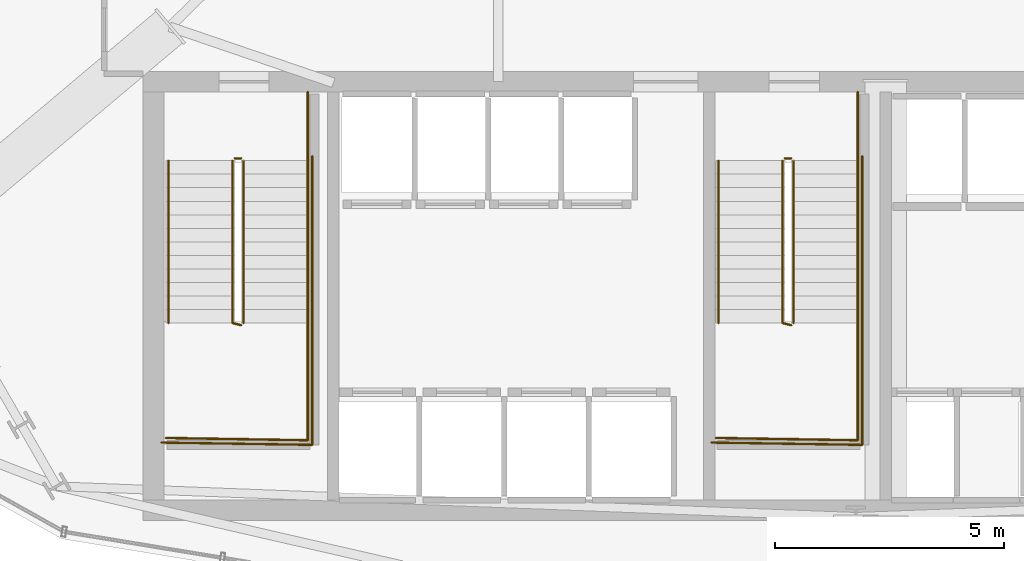
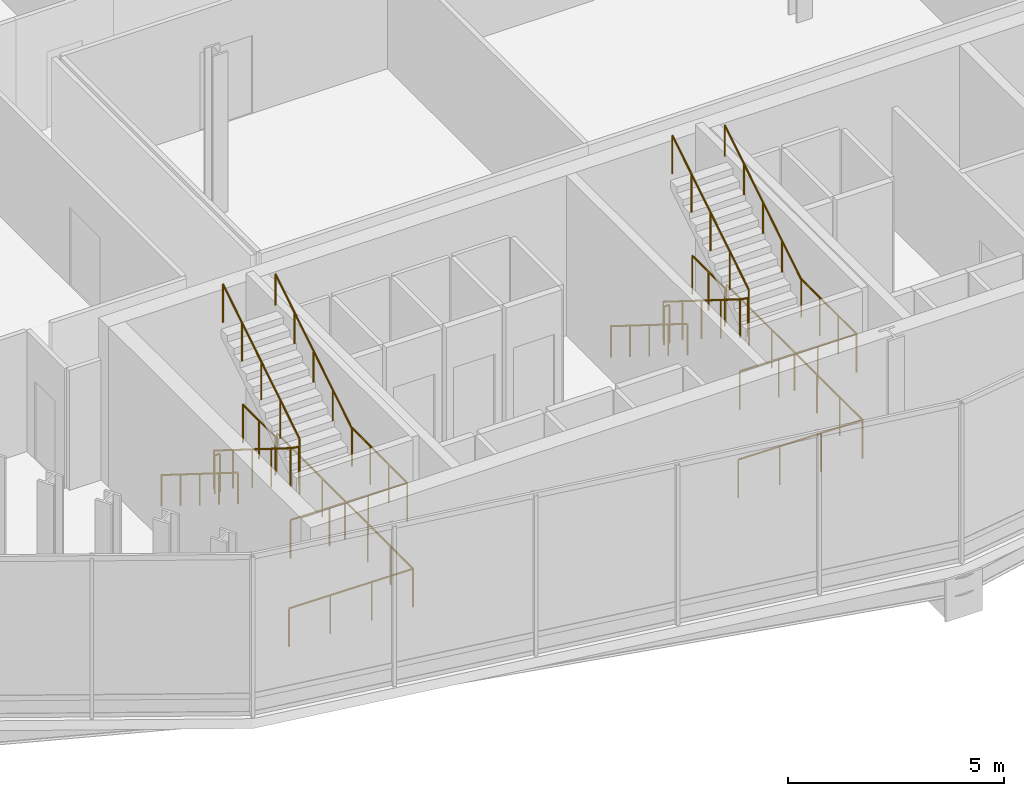
# One storey, part 24 of 26: 16 railings.
"""IFC4 building model written with IfcOpenShell, lengths in metres."""

from ifc_helpers import new_model, si_unit, direction, frame, origin, origin_2d, place, context, subcontext, project, spatial, circle, extrude, material, layer, layer_set, type_object, element, save


model = new_model("IFC4")

# Units and contexts
model_context = context("Model", 3, precision=1e-05, world=origin(), true_north=direction((0.0, 1.0)))
body_context = subcontext(model_context, "Body", "Model", "MODEL_VIEW")
ifc_project = project(units=[si_unit("LENGTHUNIT", "METRE"), si_unit("AREAUNIT", "SQUARE_METRE"), si_unit("VOLUMEUNIT", "CUBIC_METRE"), si_unit("PLANEANGLEUNIT", "RADIAN"), si_unit("MASSUNIT", "GRAM", prefix="KILO")], contexts=[model_context])

# Site, building, storey
site_placement = place(None, origin())
site = spatial("IfcSite", under=ifc_project, at=site_placement, CompositionType="ELEMENT")
building_placement = place(site_placement, origin())
building = spatial("IfcBuilding", under=site, at=building_placement, Name="Ndaravel Arena Tower", CompositionType="ELEMENT")
storey_placement = place(building_placement, frame((0.0, 0.0, 117.39990234375)))
storey = spatial("IfcBuildingStorey", under=building, at=storey_placement, Name="L27", CompositionType="ELEMENT", Elevation=117.39990234375)

# Railings
ifc_material_1 = material(Name="Steel S355", Category="steel")
ifc_layer_1 = layer(ifc_material_1, 0.06005859375)
ifc_layer_set_1 = layer_set([ifc_layer_1], Name="Steel S355")
railing_type_1 = type_object("IfcRailingType", Name="RAIL-STAIR-GD1100", PredefinedType="GUARDRAIL", material=ifc_layer_set_1)
railing_1_placement = place(storey_placement, frame((28.39990234375, 13.25, 0.184814453125)))
element("IfcRailing", 1, at=railing_1_placement, inside=storey, type_object=railing_type_1, Name="L27 ST-1 stair guard 1", PredefinedType="GUARDRAIL", context=body_context, shape_type="SweptSolid", body=[
    extrude(circle(Radius=0.02392578125, at=origin_2d()), frame((0.0, 0.0, 1.076171875), z_axis=(0.0, -0.847696004112, 0.530482313194), x_axis=(1.0, 0.0, 0.0)), (0.0, 0.0, 1.0), 4.176025390625),
    extrude(circle(Radius=0.02392578125, at=origin_2d()), frame((0.0, -3.5400390625, 3.29150390625), z_axis=(0.967074537263, -0.25449329928, 0.0), x_axis=(0.25449329928, 0.967074537263, 0.0)), (0.0, 0.0, 1.0), 0.19677734375),
    extrude(circle(Radius=0.02099609375, at=origin_2d()), origin(), (0.0, 0.0, 1.0), 1.052001953125),
    extrude(circle(Radius=0.02099609375, at=origin_2d()), frame((0.0, -0.885009765625, 0.5537109375)), (0.0, 0.0, 1.0), 1.052001953125),
    extrude(circle(Radius=0.02099609375, at=origin_2d()), frame((0.0, -1.77001953125, 1.107666015625)), (0.0, 0.0, 1.0), 1.052001953125),
    extrude(circle(Radius=0.02099609375, at=origin_2d()), frame((0.0, -2.655029296875, 1.66162109375)), (0.0, 0.0, 1.0), 1.052001953125),
    extrude(circle(Radius=0.02099609375, at=origin_2d()), frame((0.0, -3.5400390625, 2.21533203125)), (0.0, 0.0, 1.0), 1.052001953125),
    extrude(circle(Radius=0.02099609375, at=origin_2d()), frame((0.190185546875, -3.590087890625, 2.21533203125)), (0.0, 0.0, 1.0), 1.052001953125),
])
railing_2_placement = place(storey_placement, frame((30.0400390625, 9.7099609375, 2.400146484375)))
element("IfcRailing", 2, at=railing_2_placement, inside=storey, type_object=railing_type_1, Name="L27 ST-1 stair guard 2", PredefinedType="GUARDRAIL", context=body_context, shape_type="SweptSolid", body=[
    extrude(circle(Radius=0.02392578125, at=origin_2d()), frame((0.0, 0.0, 1.076171875), z_axis=(0.0, -1.0, 0.0), x_axis=(1.0, 0.0, 0.0)), (0.0, 0.0, 1.0), 2.56005859375),
    extrude(circle(Radius=0.02392578125, at=origin_2d()), frame((0.0, -2.56005859375, 1.076171875), z_axis=(-0.999868861343, 0.016194447071, 0.0), x_axis=(-0.016194447071, -0.999868861343, 0.0)), (0.0, 0.0, 1.0), 3.090576171875),
    extrude(circle(Radius=0.02099609375, at=origin_2d()), origin(), (0.0, 0.0, 1.0), 1.052001953125),
    extrude(circle(Radius=0.02099609375, at=origin_2d()), frame((0.0, -0.853271484375, 0.0)), (0.0, 0.0, 1.0), 1.052001953125),
    extrude(circle(Radius=0.02099609375, at=origin_2d()), frame((0.0, -1.706787109375, 0.0)), (0.0, 0.0, 1.0), 1.052001953125),
    extrude(circle(Radius=0.02099609375, at=origin_2d()), frame((0.0, -2.56005859375, 0.0)), (0.0, 0.0, 1.0), 1.052001953125),
    extrude(circle(Radius=0.02099609375, at=origin_2d()), frame((-1.030029296875, -2.54345703125, 0.0)), (0.0, 0.0, 1.0), 1.052001953125),
    extrude(circle(Radius=0.02099609375, at=origin_2d()), frame((-2.06005859375, -2.526611328125, 0.0)), (0.0, 0.0, 1.0), 1.052001953125),
    extrude(circle(Radius=0.02099609375, at=origin_2d()), frame((-3.090087890625, -2.510009765625, 0.0)), (0.0, 0.0, 1.0), 1.052001953125),
])
railing_3_placement = place(storey_placement, frame((28.639892578125, 9.7099609375, 2.584716796875)))
element("IfcRailing", 3, at=railing_3_placement, inside=storey, type_object=railing_type_1, Name="L27 ST-1 stair guard 3", PredefinedType="GUARDRAIL", context=body_context, shape_type="SweptSolid", body=[
    extrude(circle(Radius=0.02392578125, at=origin_2d()), frame((0.0, 0.0, 1.076171875), z_axis=(0.0, 0.847696004112, 0.530482313194), x_axis=(-1.0, 0.0, 0.0)), (0.0, 0.0, 1.0), 4.176025390625),
    extrude(circle(Radius=0.02099609375, at=origin_2d()), origin(), (0.0, 0.0, 1.0), 1.052001953125),
    extrude(circle(Radius=0.02099609375, at=origin_2d()), frame((0.0, 0.885009765625, 0.5537109375)), (0.0, 0.0, 1.0), 1.052001953125),
    extrude(circle(Radius=0.02099609375, at=origin_2d()), frame((0.0, 1.77001953125, 1.107666015625)), (0.0, 0.0, 1.0), 1.052001953125),
    extrude(circle(Radius=0.02099609375, at=origin_2d()), frame((0.0, 2.655029296875, 1.66162109375)), (0.0, 0.0, 1.0), 1.052001953125),
    extrude(circle(Radius=0.02099609375, at=origin_2d()), frame((0.0, 3.5400390625, 2.21533203125)), (0.0, 0.0, 1.0), 1.052001953125),
])
railing_4_placement = place(storey_placement, frame((28.449951171875, 13.300048828125, 0.0)))
element("IfcRailing", 4, at=railing_4_placement, inside=storey, type_object=railing_type_1, Name="L27 ST-1 stair guard 4", PredefinedType="GUARDRAIL", context=body_context, shape_type="SweptSolid", body=[
    extrude(circle(Radius=0.02392578125, at=origin_2d()), frame((0.0, 0.0, 1.076171875), z_axis=(1.0, 0.0, 0.0), x_axis=(0.0, 1.0, 0.0)), (0.0, 0.0, 1.0), 0.14013671875),
    extrude(circle(Radius=0.02099609375, at=origin_2d()), origin(), (0.0, 0.0, 1.0), 1.052001953125),
    extrude(circle(Radius=0.02099609375, at=origin_2d()), frame((0.14013671875, 0.0, 0.0)), (0.0, 0.0, 1.0), 1.052001953125),
])
railing_5_placement = place(storey_placement, frame((30.0400390625, 14.75, 0.0)))
element("IfcRailing", 5, at=railing_5_placement, inside=storey, type_object=railing_type_1, Name="L27 ST-1 stair guard 5", PredefinedType="GUARDRAIL", context=body_context, shape_type="SweptSolid", body=[
    extrude(circle(Radius=0.02392578125, at=origin_2d()), frame((0.0, 0.0, 1.076171875), z_axis=(0.0, -1.0, 0.0), x_axis=(1.0, 0.0, 0.0)), (0.0, 0.0, 1.0), 1.5),
    extrude(circle(Radius=0.02099609375, at=origin_2d()), origin(), (0.0, 0.0, 1.0), 1.052001953125),
    extrude(circle(Radius=0.02099609375, at=origin_2d()), frame((0.0, -0.75, 0.0)), (0.0, 0.0, 1.0), 1.052001953125),
    extrude(circle(Radius=0.02099609375, at=origin_2d()), frame((0.0, -1.5, 0.0)), (0.0, 0.0, 1.0), 1.052001953125),
])
railing_6_placement = place(storey_placement, frame((30.139892578125, 13.35009765625, 0.0)))
element("IfcRailing", 6, at=railing_6_placement, inside=storey, type_object=railing_type_1, Name="L27 ST-1 stair guard 6", PredefinedType="GUARDRAIL", context=body_context, shape_type="SweptSolid", body=[
    extrude(circle(Radius=0.02392578125, at=origin_2d()), frame((0.0, 0.0, 1.076171875), z_axis=(0.0, -1.0, 0.0), x_axis=(1.0, 0.0, 0.0)), (0.0, 0.0, 1.0), 6.300048828125),
    extrude(circle(Radius=0.02392578125, at=origin_2d()), frame((0.0, -6.300048828125, 1.076171875), z_axis=(-0.999884296952, 0.015211597839, 0.0), x_axis=(-0.015211597839, -0.999884296952, 0.0)), (0.0, 0.0, 1.0), 3.290283203125),
    extrude(circle(Radius=0.02099609375, at=origin_2d()), origin(), (0.0, 0.0, 1.0), 1.052001953125),
    extrude(circle(Radius=0.02099609375, at=origin_2d()), frame((0.0, -1.050048828125, 0.0)), (0.0, 0.0, 1.0), 1.052001953125),
    extrude(circle(Radius=0.02099609375, at=origin_2d()), frame((0.0, -2.10009765625, 0.0)), (0.0, 0.0, 1.0), 1.052001953125),
    extrude(circle(Radius=0.02099609375, at=origin_2d()), frame((0.0, -3.14990234375, 0.0)), (0.0, 0.0, 1.0), 1.052001953125),
    extrude(circle(Radius=0.02099609375, at=origin_2d()), frame((0.0, -4.199951171875, 0.0)), (0.0, 0.0, 1.0), 1.052001953125),
    extrude(circle(Radius=0.02099609375, at=origin_2d()), frame((0.0, -5.25, 0.0)), (0.0, 0.0, 1.0), 1.052001953125),
    extrude(circle(Radius=0.02099609375, at=origin_2d()), frame((0.0, -6.300048828125, 0.0)), (0.0, 0.0, 1.0), 1.052001953125),
    extrude(circle(Radius=0.02099609375, at=origin_2d()), frame((-1.0966796875, -6.283447265625, 0.0)), (0.0, 0.0, 1.0), 1.052001953125),
    extrude(circle(Radius=0.02099609375, at=origin_2d()), frame((-2.193115234375, -6.2666015625, 0.0)), (0.0, 0.0, 1.0), 1.052001953125),
    extrude(circle(Radius=0.02099609375, at=origin_2d()), frame((-3.289794921875, -6.25, 0.0)), (0.0, 0.0, 1.0), 1.052001953125),
])
railing_7_placement = place(storey_placement, frame((40.39990234375, 13.25, 0.184814453125)))
element("IfcRailing", 7, at=railing_7_placement, inside=storey, type_object=railing_type_1, Name="L27 ST-2 stair guard 1", PredefinedType="GUARDRAIL", context=body_context, shape_type="SweptSolid", body=[
    extrude(circle(Radius=0.02392578125, at=origin_2d()), frame((0.0, 0.0, 1.076171875), z_axis=(0.0, -0.847696004112, 0.530482313194), x_axis=(1.0, 0.0, 0.0)), (0.0, 0.0, 1.0), 4.176025390625),
    extrude(circle(Radius=0.02392578125, at=origin_2d()), frame((0.0, -3.5400390625, 3.29150390625), z_axis=(0.967074537263, -0.25449329928, 0.0), x_axis=(0.25449329928, 0.967074537263, 0.0)), (0.0, 0.0, 1.0), 0.19677734375),
    extrude(circle(Radius=0.02099609375, at=origin_2d()), origin(), (0.0, 0.0, 1.0), 1.052001953125),
    extrude(circle(Radius=0.02099609375, at=origin_2d()), frame((0.0, -0.885009765625, 0.5537109375)), (0.0, 0.0, 1.0), 1.052001953125),
    extrude(circle(Radius=0.02099609375, at=origin_2d()), frame((0.0, -1.77001953125, 1.107666015625)), (0.0, 0.0, 1.0), 1.052001953125),
    extrude(circle(Radius=0.02099609375, at=origin_2d()), frame((0.0, -2.655029296875, 1.66162109375)), (0.0, 0.0, 1.0), 1.052001953125),
    extrude(circle(Radius=0.02099609375, at=origin_2d()), frame((0.0, -3.5400390625, 2.21533203125)), (0.0, 0.0, 1.0), 1.052001953125),
    extrude(circle(Radius=0.02099609375, at=origin_2d()), frame((0.190185546875, -3.590087890625, 2.21533203125)), (0.0, 0.0, 1.0), 1.052001953125),
])
railing_8_placement = place(storey_placement, frame((42.0400390625, 9.7099609375, 2.400146484375)))
element("IfcRailing", 8, at=railing_8_placement, inside=storey, type_object=railing_type_1, Name="L27 ST-2 stair guard 2", PredefinedType="GUARDRAIL", context=body_context, shape_type="SweptSolid", body=[
    extrude(circle(Radius=0.02392578125, at=origin_2d()), frame((0.0, 0.0, 1.076171875), z_axis=(0.0, -1.0, 0.0), x_axis=(1.0, 0.0, 0.0)), (0.0, 0.0, 1.0), 2.56005859375),
    extrude(circle(Radius=0.02392578125, at=origin_2d()), frame((0.0, -2.56005859375, 1.076171875), z_axis=(-0.999868861343, 0.016194447071, 0.0), x_axis=(-0.016194447071, -0.999868861343, 0.0)), (0.0, 0.0, 1.0), 3.090576171875),
    extrude(circle(Radius=0.02099609375, at=origin_2d()), origin(), (0.0, 0.0, 1.0), 1.052001953125),
    extrude(circle(Radius=0.02099609375, at=origin_2d()), frame((0.0, -0.853271484375, 0.0)), (0.0, 0.0, 1.0), 1.052001953125),
    extrude(circle(Radius=0.02099609375, at=origin_2d()), frame((0.0, -1.706787109375, 0.0)), (0.0, 0.0, 1.0), 1.052001953125),
    extrude(circle(Radius=0.02099609375, at=origin_2d()), frame((0.0, -2.56005859375, 0.0)), (0.0, 0.0, 1.0), 1.052001953125),
    extrude(circle(Radius=0.02099609375, at=origin_2d()), frame((-1.030029296875, -2.54345703125, 0.0)), (0.0, 0.0, 1.0), 1.052001953125),
    extrude(circle(Radius=0.02099609375, at=origin_2d()), frame((-2.06005859375, -2.526611328125, 0.0)), (0.0, 0.0, 1.0), 1.052001953125),
    extrude(circle(Radius=0.02099609375, at=origin_2d()), frame((-3.090087890625, -2.510009765625, 0.0)), (0.0, 0.0, 1.0), 1.052001953125),
])
railing_9_placement = place(storey_placement, frame((40.639892578125, 9.7099609375, 2.584716796875)))
element("IfcRailing", 9, at=railing_9_placement, inside=storey, type_object=railing_type_1, Name="L27 ST-2 stair guard 3", PredefinedType="GUARDRAIL", context=body_context, shape_type="SweptSolid", body=[
    extrude(circle(Radius=0.02392578125, at=origin_2d()), frame((0.0, 0.0, 1.076171875), z_axis=(0.0, 0.847696004112, 0.530482313194), x_axis=(-1.0, 0.0, 0.0)), (0.0, 0.0, 1.0), 4.176025390625),
    extrude(circle(Radius=0.02099609375, at=origin_2d()), origin(), (0.0, 0.0, 1.0), 1.052001953125),
    extrude(circle(Radius=0.02099609375, at=origin_2d()), frame((0.0, 0.885009765625, 0.5537109375)), (0.0, 0.0, 1.0), 1.052001953125),
    extrude(circle(Radius=0.02099609375, at=origin_2d()), frame((0.0, 1.77001953125, 1.107666015625)), (0.0, 0.0, 1.0), 1.052001953125),
    extrude(circle(Radius=0.02099609375, at=origin_2d()), frame((0.0, 2.655029296875, 1.66162109375)), (0.0, 0.0, 1.0), 1.052001953125),
    extrude(circle(Radius=0.02099609375, at=origin_2d()), frame((0.0, 3.5400390625, 2.21533203125)), (0.0, 0.0, 1.0), 1.052001953125),
])
railing_10_placement = place(storey_placement, frame((40.449951171875, 13.300048828125, 0.0)))
element("IfcRailing", 10, at=railing_10_placement, inside=storey, type_object=railing_type_1, Name="L27 ST-2 stair guard 4", PredefinedType="GUARDRAIL", context=body_context, shape_type="SweptSolid", body=[
    extrude(circle(Radius=0.02392578125, at=origin_2d()), frame((0.0, 0.0, 1.076171875), z_axis=(1.0, 0.0, 0.0), x_axis=(0.0, 1.0, 0.0)), (0.0, 0.0, 1.0), 0.14013671875),
    extrude(circle(Radius=0.02099609375, at=origin_2d()), origin(), (0.0, 0.0, 1.0), 1.052001953125),
    extrude(circle(Radius=0.02099609375, at=origin_2d()), frame((0.14013671875, 0.0, 0.0)), (0.0, 0.0, 1.0), 1.052001953125),
])
railing_11_placement = place(storey_placement, frame((42.0400390625, 14.75, 0.0)))
element("IfcRailing", 11, at=railing_11_placement, inside=storey, type_object=railing_type_1, Name="L27 ST-2 stair guard 5", PredefinedType="GUARDRAIL", context=body_context, shape_type="SweptSolid", body=[
    extrude(circle(Radius=0.02392578125, at=origin_2d()), frame((0.0, 0.0, 1.076171875), z_axis=(0.0, -1.0, 0.0), x_axis=(1.0, 0.0, 0.0)), (0.0, 0.0, 1.0), 1.5),
    extrude(circle(Radius=0.02099609375, at=origin_2d()), origin(), (0.0, 0.0, 1.0), 1.052001953125),
    extrude(circle(Radius=0.02099609375, at=origin_2d()), frame((0.0, -0.75, 0.0)), (0.0, 0.0, 1.0), 1.052001953125),
    extrude(circle(Radius=0.02099609375, at=origin_2d()), frame((0.0, -1.5, 0.0)), (0.0, 0.0, 1.0), 1.052001953125),
])
railing_12_placement = place(storey_placement, frame((42.139892578125, 13.35009765625, 0.0)))
element("IfcRailing", 12, at=railing_12_placement, inside=storey, type_object=railing_type_1, Name="L27 ST-2 stair guard 6", PredefinedType="GUARDRAIL", context=body_context, shape_type="SweptSolid", body=[
    extrude(circle(Radius=0.02392578125, at=origin_2d()), frame((0.0, 0.0, 1.076171875), z_axis=(0.0, -1.0, 0.0), x_axis=(1.0, 0.0, 0.0)), (0.0, 0.0, 1.0), 6.300048828125),
    extrude(circle(Radius=0.02392578125, at=origin_2d()), frame((0.0, -6.300048828125, 1.076171875), z_axis=(-0.999884296952, 0.015211597839, 0.0), x_axis=(-0.015211597839, -0.999884296952, 0.0)), (0.0, 0.0, 1.0), 3.290283203125),
    extrude(circle(Radius=0.02099609375, at=origin_2d()), origin(), (0.0, 0.0, 1.0), 1.052001953125),
    extrude(circle(Radius=0.02099609375, at=origin_2d()), frame((0.0, -1.050048828125, 0.0)), (0.0, 0.0, 1.0), 1.052001953125),
    extrude(circle(Radius=0.02099609375, at=origin_2d()), frame((0.0, -2.10009765625, 0.0)), (0.0, 0.0, 1.0), 1.052001953125),
    extrude(circle(Radius=0.02099609375, at=origin_2d()), frame((0.0, -3.14990234375, 0.0)), (0.0, 0.0, 1.0), 1.052001953125),
    extrude(circle(Radius=0.02099609375, at=origin_2d()), frame((0.0, -4.199951171875, 0.0)), (0.0, 0.0, 1.0), 1.052001953125),
    extrude(circle(Radius=0.02099609375, at=origin_2d()), frame((0.0, -5.25, 0.0)), (0.0, 0.0, 1.0), 1.052001953125),
    extrude(circle(Radius=0.02099609375, at=origin_2d()), frame((0.0, -6.300048828125, 0.0)), (0.0, 0.0, 1.0), 1.052001953125),
    extrude(circle(Radius=0.02099609375, at=origin_2d()), frame((-1.0966796875, -6.283447265625, 0.0)), (0.0, 0.0, 1.0), 1.052001953125),
    extrude(circle(Radius=0.02099609375, at=origin_2d()), frame((-2.193115234375, -6.2666015625, 0.0)), (0.0, 0.0, 1.0), 1.052001953125),
    extrude(circle(Radius=0.02099609375, at=origin_2d()), frame((-3.289794921875, -6.25, 0.0)), (0.0, 0.0, 1.0), 1.052001953125),
])
ifc_material_2 = material(Name="Steel S355", Category="steel")
ifc_layer_2 = layer(ifc_material_2, 0.050048828125)
ifc_layer_set_2 = layer_set([ifc_layer_2], Name="Steel S355")
railing_type_2 = type_object("IfcRailingType", Name="RAIL-STAIR-HR920", PredefinedType="HANDRAIL", material=ifc_layer_set_2)
railing_13_placement = place(storey_placement, frame((27.0, 13.25, 0.184814453125)))
element("IfcRailing", 13, at=railing_13_placement, inside=storey, type_object=railing_type_2, Name="L27 ST-1 stair handrail 1", PredefinedType="HANDRAIL", context=body_context, shape_type="SweptSolid", body=[
    extrude(circle(Radius=0.02392578125, at=origin_2d()), frame((0.0, 0.0, 0.8759765625), z_axis=(0.0, -0.847696004112, 0.530482313194), x_axis=(1.0, 0.0, 0.0)), (0.0, 0.0, 1.0), 4.176025390625),
    extrude(circle(Radius=0.02099609375, at=origin_2d()), origin(), (0.0, 0.0, 1.0), 0.851806640625),
    extrude(circle(Radius=0.02099609375, at=origin_2d()), frame((0.0, -0.885009765625, 0.5537109375)), (0.0, 0.0, 1.0), 0.851806640625),
    extrude(circle(Radius=0.02099609375, at=origin_2d()), frame((0.0, -1.77001953125, 1.107666015625)), (0.0, 0.0, 1.0), 0.851806640625),
    extrude(circle(Radius=0.02099609375, at=origin_2d()), frame((0.0, -2.655029296875, 1.66162109375)), (0.0, 0.0, 1.0), 0.851806640625),
    extrude(circle(Radius=0.02099609375, at=origin_2d()), frame((0.0, -3.5400390625, 2.21533203125)), (0.0, 0.0, 1.0), 0.851806640625),
])
railing_14_placement = place(storey_placement, frame((30.0400390625, 9.7099609375, 2.584716796875)))
element("IfcRailing", 14, at=railing_14_placement, inside=storey, type_object=railing_type_2, Name="L27 ST-1 stair handrail 2", PredefinedType="HANDRAIL", context=body_context, shape_type="SweptSolid", body=[
    extrude(circle(Radius=0.02392578125, at=origin_2d()), frame((0.0, 0.0, 0.8759765625), z_axis=(0.0, 0.847696004112, 0.530482313194), x_axis=(-1.0, 0.0, 0.0)), (0.0, 0.0, 1.0), 4.176025390625),
    extrude(circle(Radius=0.02099609375, at=origin_2d()), origin(), (0.0, 0.0, 1.0), 0.851806640625),
    extrude(circle(Radius=0.02099609375, at=origin_2d()), frame((0.0, 0.885009765625, 0.5537109375)), (0.0, 0.0, 1.0), 0.851806640625),
    extrude(circle(Radius=0.02099609375, at=origin_2d()), frame((0.0, 1.77001953125, 1.107666015625)), (0.0, 0.0, 1.0), 0.851806640625),
    extrude(circle(Radius=0.02099609375, at=origin_2d()), frame((0.0, 2.655029296875, 1.66162109375)), (0.0, 0.0, 1.0), 0.851806640625),
    extrude(circle(Radius=0.02099609375, at=origin_2d()), frame((0.0, 3.5400390625, 2.21533203125)), (0.0, 0.0, 1.0), 0.851806640625),
])
railing_15_placement = place(storey_placement, frame((39.0, 13.25, 0.184814453125)))
element("IfcRailing", 15, at=railing_15_placement, inside=storey, type_object=railing_type_2, Name="L27 ST-2 stair handrail 1", PredefinedType="HANDRAIL", context=body_context, shape_type="SweptSolid", body=[
    extrude(circle(Radius=0.02392578125, at=origin_2d()), frame((0.0, 0.0, 0.8759765625), z_axis=(0.0, -0.847696004112, 0.530482313194), x_axis=(1.0, 0.0, 0.0)), (0.0, 0.0, 1.0), 4.176025390625),
    extrude(circle(Radius=0.02099609375, at=origin_2d()), origin(), (0.0, 0.0, 1.0), 0.851806640625),
    extrude(circle(Radius=0.02099609375, at=origin_2d()), frame((0.0, -0.885009765625, 0.5537109375)), (0.0, 0.0, 1.0), 0.851806640625),
    extrude(circle(Radius=0.02099609375, at=origin_2d()), frame((0.0, -1.77001953125, 1.107666015625)), (0.0, 0.0, 1.0), 0.851806640625),
    extrude(circle(Radius=0.02099609375, at=origin_2d()), frame((0.0, -2.655029296875, 1.66162109375)), (0.0, 0.0, 1.0), 0.851806640625),
    extrude(circle(Radius=0.02099609375, at=origin_2d()), frame((0.0, -3.5400390625, 2.21533203125)), (0.0, 0.0, 1.0), 0.851806640625),
])
railing_16_placement = place(storey_placement, frame((42.0400390625, 9.7099609375, 2.584716796875)))
element("IfcRailing", 16, at=railing_16_placement, inside=storey, type_object=railing_type_2, Name="L27 ST-2 stair handrail 2", PredefinedType="HANDRAIL", context=body_context, shape_type="SweptSolid", body=[
    extrude(circle(Radius=0.02392578125, at=origin_2d()), frame((0.0, 0.0, 0.8759765625), z_axis=(0.0, 0.847696004112, 0.530482313194), x_axis=(-1.0, 0.0, 0.0)), (0.0, 0.0, 1.0), 4.176025390625),
    extrude(circle(Radius=0.02099609375, at=origin_2d()), origin(), (0.0, 0.0, 1.0), 0.851806640625),
    extrude(circle(Radius=0.02099609375, at=origin_2d()), frame((0.0, 0.885009765625, 0.5537109375)), (0.0, 0.0, 1.0), 0.851806640625),
    extrude(circle(Radius=0.02099609375, at=origin_2d()), frame((0.0, 1.77001953125, 1.107666015625)), (0.0, 0.0, 1.0), 0.851806640625),
    extrude(circle(Radius=0.02099609375, at=origin_2d()), frame((0.0, 2.655029296875, 1.66162109375)), (0.0, 0.0, 1.0), 0.851806640625),
    extrude(circle(Radius=0.02099609375, at=origin_2d()), frame((0.0, 3.5400390625, 2.21533203125)), (0.0, 0.0, 1.0), 0.851806640625),
])

save(model, "model.ifc")
